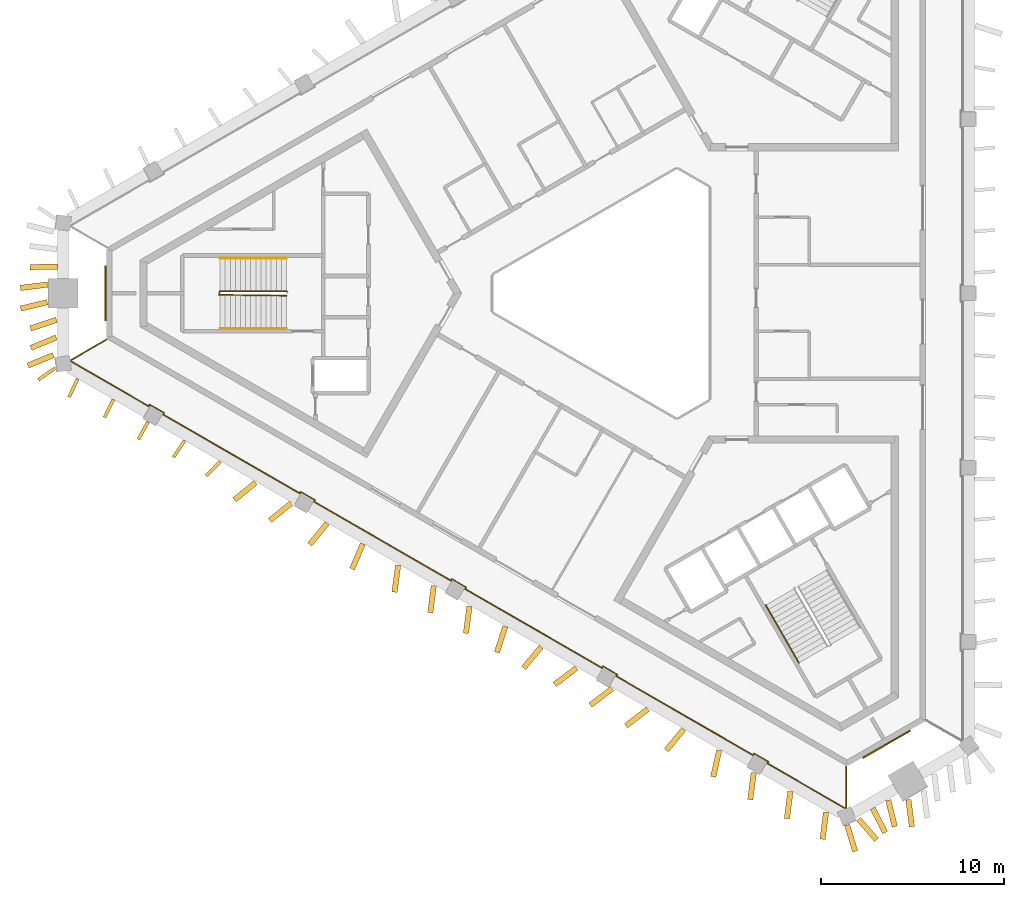
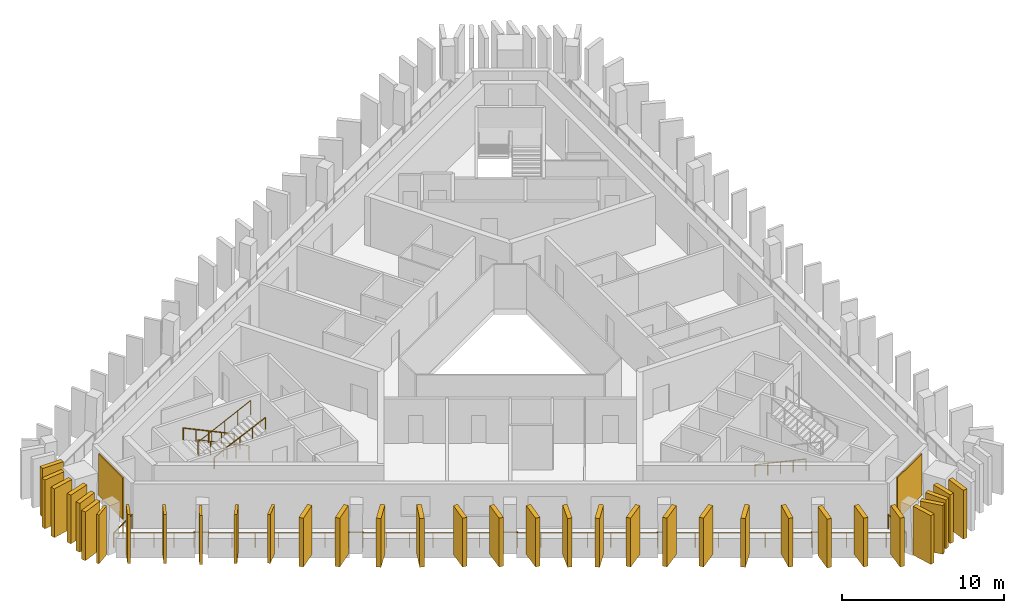
# One storey, part 6 of 8: 34 shading devices, 5 railings, 2 coverings.
"""IFC4 building model written with IfcOpenShell, lengths in metres."""

from ifc_helpers import new_model, si_unit, direction, frame, frame_2d, origin, origin_2d, place, context, subcontext, project, spatial, rectangle, circle, extrude, material, layer, layer_set, type_object, element, save


model = new_model("IFC4")

# Units and contexts
model_context = context("Model", 3, precision=1e-05, world=origin(), true_north=direction((0.0, 1.0)))
body_context = subcontext(model_context, "Body", "Model", "MODEL_VIEW")
ifc_project = project(units=[si_unit("LENGTHUNIT", "METRE"), si_unit("AREAUNIT", "SQUARE_METRE"), si_unit("VOLUMEUNIT", "CUBIC_METRE"), si_unit("PLANEANGLEUNIT", "RADIAN"), si_unit("MASSUNIT", "GRAM", prefix="KILO")], contexts=[model_context])

# Site, building, storey
site_placement = place(None, origin())
site = spatial("IfcSite", under=ifc_project, at=site_placement, CompositionType="ELEMENT")
building_placement = place(site_placement, origin())
building = spatial("IfcBuilding", under=site, at=building_placement, Name="Jabali Bay Hotel Tower and Convention Centre", CompositionType="ELEMENT")
storey_placement = place(building_placement, frame((0.0, 0.0, 292.300048828125)))
storey = spatial("IfcBuildingStorey", under=building, at=storey_placement, Name="L72", CompositionType="ELEMENT", Elevation=292.300048828125)

# Railing
ifc_material_1 = material(Name="Glass", Category="glass")
railing_type_1 = type_object("IfcRailingType", Name="Loggia glass guard 1100", PredefinedType="BALUSTRADE", material=ifc_material_1)
railing_1_placement = place(storey_placement, frame((87.0263671875, 54.1142578125, 0.0)))
element("IfcRailing", 1, at=railing_1_placement, inside=storey, type_object=railing_type_1, Name="Loggia glass guard L72", PredefinedType="BALUSTRADE", context=body_context, shape_type="SweptSolid", body=[
    extrude(circle(Radius=0.02490234375, at=origin_2d()), frame((0.0, 0.0, 1.0751953125), z_axis=(0.0, -1.0, 0.0), x_axis=(0.991444861374, 0.0, 0.13052619222)), (0.0, 0.0, 1.0), 2.275146484375),
    extrude(circle(Radius=0.02490234375, at=origin_2d()), frame((0.0, -2.275146484375, 1.0751953125), z_axis=(-0.921511427465, -0.388351244432, 0.0), x_axis=(0.3850288457, -0.913627769457, 0.13052619222)), (0.0, 0.0, 1.0), 0.037109375),
    extrude(circle(Radius=0.02490234375, at=origin_2d()), frame((-0.0341796875, -2.28955078125, 1.0751953125), z_axis=(-0.86602256313, 0.500004920126, 0.0), x_axis=(-0.495727308721, -0.858613620049, 0.13052619222)), (0.0, 0.0, 1.0), 4.93798828125),
    extrude(circle(Radius=0.02490234375, at=origin_2d()), frame((-4.310546875, 0.179443359375, 1.0751953125), z_axis=(0.501132629342, 0.865370491644, 0.0), x_axis=(-0.857967127125, 0.496845370228, 0.13052619222)), (0.0, 0.0, 1.0), 0.099853515625),
    extrude(circle(Radius=0.02490234375, at=origin_2d()), frame((-4.260498046875, 0.265869140625, 1.0751953125), z_axis=(-0.866013897511, 0.50001992892, 0.0), x_axis=(-0.495742189112, -0.858605028566, 0.13052619222)), (0.0, 0.0, 1.0), 0.89990234375),
    extrude(circle(Radius=0.02490234375, at=origin_2d()), frame((-5.039794921875, 0.7158203125, 1.0751953125), z_axis=(-0.501132629342, -0.865370491644, 0.0), x_axis=(0.857967127125, -0.496845370228, 0.13052619222)), (0.0, 0.0, 1.0), 0.099853515625),
    extrude(circle(Radius=0.02490234375, at=origin_2d()), frame((-5.08984375, 0.62939453125, 1.0751953125), z_axis=(-0.866030352146, 0.499991429088, 0.0), x_axis=(-0.4957139331, -0.858621342429, 0.13052619222)), (0.0, 0.0, 1.0), 8.642822265625),
    extrude(circle(Radius=0.02490234375, at=origin_2d()), frame((-12.57470703125, 4.95068359375, 1.0751953125), z_axis=(0.500074377092, 0.865982457891, 0.0), x_axis=(-0.858573857916, 0.495796171473, 0.13052619222)), (0.0, 0.0, 1.0), 0.10009765625),
    extrude(circle(Radius=0.02490234375, at=origin_2d()), frame((-12.524658203125, 5.037353515625, 1.0751953125), z_axis=(-0.866013897511, 0.50001992892, 0.0), x_axis=(-0.495742189112, -0.858605028566, 0.13052619222)), (0.0, 0.0, 1.0), 0.89990234375),
    extrude(circle(Radius=0.02490234375, at=origin_2d()), frame((-13.303955078125, 5.4873046875, 1.0751953125), z_axis=(-0.500074377092, -0.865982457891, 0.0), x_axis=(0.858573857916, -0.495796171473, 0.13052619222)), (0.0, 0.0, 1.0), 0.10009765625),
    extrude(circle(Radius=0.02490234375, at=origin_2d()), frame((-13.35400390625, 5.400634765625, 1.0751953125), z_axis=(-0.866030352146, 0.499991429088, 0.0), x_axis=(-0.4957139331, -0.858621342429, 0.13052619222)), (0.0, 0.0, 1.0), 8.642822265625),
    extrude(circle(Radius=0.02490234375, at=origin_2d()), frame((-20.8388671875, 9.721923828125, 1.0751953125), z_axis=(0.500074377092, 0.865982457891, 0.0), x_axis=(-0.858573857916, 0.495796171473, 0.13052619222)), (0.0, 0.0, 1.0), 0.10009765625),
    extrude(circle(Radius=0.02490234375, at=origin_2d()), frame((-20.788818359375, 9.80859375, 1.0751953125), z_axis=(-0.866081705922, 0.499902469156, 0.0), x_axis=(-0.495625734232, -0.858672256866, 0.13052619222)), (0.0, 0.0, 1.0), 0.900146484375),
    extrude(circle(Radius=0.02490234375, at=origin_2d()), frame((-21.568359375, 10.258544921875, 1.0751953125), z_axis=(-0.501132629342, -0.865370491644, 0.0), x_axis=(0.857967127125, -0.496845370228, 0.13052619222)), (0.0, 0.0, 1.0), 0.099853515625),
    extrude(circle(Radius=0.02490234375, at=origin_2d()), frame((-21.618408203125, 10.172119140625, 1.0751953125), z_axis=(-0.866023290103, 0.500003660985, 0.0), x_axis=(-0.495726060352, -0.858614340803, 0.13052619222)), (0.0, 0.0, 1.0), 8.642578125),
    extrude(circle(Radius=0.02490234375, at=origin_2d()), frame((-29.10302734375, 14.493408203125, 1.0751953125), z_axis=(0.500074377092, 0.865982457891, 0.0), x_axis=(-0.858573857916, 0.495796171473, 0.13052619222)), (0.0, 0.0, 1.0), 0.10009765625),
    extrude(circle(Radius=0.02490234375, at=origin_2d()), frame((-29.052978515625, 14.580078125, 1.0751953125), z_axis=(-0.866081705922, 0.499902469156, 0.0), x_axis=(-0.495625734232, -0.858672256866, 0.13052619222)), (0.0, 0.0, 1.0), 0.900146484375),
    extrude(circle(Radius=0.02490234375, at=origin_2d()), frame((-29.83251953125, 15.030029296875, 1.0751953125), z_axis=(-0.500074377092, -0.865982457891, 0.0), x_axis=(0.858573857916, -0.495796171473, 0.13052619222)), (0.0, 0.0, 1.0), 0.10009765625),
    extrude(circle(Radius=0.02490234375, at=origin_2d()), frame((-29.882568359375, 14.943359375, 1.0751953125), z_axis=(-0.866030352146, 0.499991429088, 0.0), x_axis=(-0.4957139331, -0.858621342429, 0.13052619222)), (0.0, 0.0, 1.0), 8.642822265625),
    extrude(circle(Radius=0.02490234375, at=origin_2d()), frame((-37.367431640625, 19.2646484375, 1.0751953125), z_axis=(0.500074377092, 0.865982457891, 0.0), x_axis=(-0.858573857916, 0.495796171473, 0.13052619222)), (0.0, 0.0, 1.0), 0.10009765625),
    extrude(circle(Radius=0.02490234375, at=origin_2d()), frame((-37.3173828125, 19.351318359375, 1.0751953125), z_axis=(-0.866013897511, 0.50001992892, 0.0), x_axis=(-0.495742189112, -0.858605028566, 0.13052619222)), (0.0, 0.0, 1.0), 0.89990234375),
    extrude(circle(Radius=0.02490234375, at=origin_2d()), frame((-38.0966796875, 19.80126953125, 1.0751953125), z_axis=(-0.501132629342, -0.865370491644, 0.0), x_axis=(0.857967127125, -0.496845370228, 0.13052619222)), (0.0, 0.0, 1.0), 0.099853515625),
    extrude(circle(Radius=0.02490234375, at=origin_2d()), frame((-38.146728515625, 19.71484375, 1.0751953125), z_axis=(-0.866031611973, 0.499989246947, 0.0), x_axis=(-0.495711769628, -0.858622591478, 0.13052619222)), (0.0, 0.0, 1.0), 4.9375),
    extrude(circle(Radius=0.02490234375, at=origin_2d()), frame((-42.4228515625, 22.18359375, 1.0751953125), z_axis=(-0.124843395554, 0.9921764594, 0.0), x_axis=(-0.983688252248, -0.123775342998, 0.13052619222)), (0.0, 0.0, 1.0), 0.037109375),
    extrude(circle(Radius=0.02490234375, at=origin_2d()), frame((-42.427490234375, 22.220458984375, 1.0751953125), z_axis=(0.865989003036, 0.500063042646, 0.0), x_axis=(-0.495784933994, 0.858580347067, 0.13052619222)), (0.0, 0.0, 1.0), 2.275146484375),
    extrude(circle(Radius=0.02001953125, at=origin_2d()), origin(), (0.0, 0.0, 1.0), 1.050048828125),
    extrude(circle(Radius=0.02001953125, at=origin_2d()), frame((0.0, -1.1376953125, 0.0)), (0.0, 0.0, 1.0), 1.050048828125),
    extrude(circle(Radius=0.02001953125, at=origin_2d()), frame((0.0, -2.275146484375, 0.0)), (0.0, 0.0, 1.0), 1.050048828125),
    extrude(circle(Radius=0.02001953125, at=origin_2d()), frame((-0.0341796875, -2.28955078125, 0.0)), (0.0, 0.0, 1.0), 1.050048828125),
    extrude(circle(Radius=0.02001953125, at=origin_2d()), frame((-1.103271484375, -1.67236328125, 0.0)), (0.0, 0.0, 1.0), 1.050048828125),
    extrude(circle(Radius=0.02001953125, at=origin_2d()), frame((-2.17236328125, -1.05517578125, 0.0)), (0.0, 0.0, 1.0), 1.050048828125),
    extrude(circle(Radius=0.02001953125, at=origin_2d()), frame((-3.241455078125, -0.437744140625, 0.0)), (0.0, 0.0, 1.0), 1.050048828125),
    extrude(circle(Radius=0.02001953125, at=origin_2d()), frame((-4.310546875, 0.179443359375, 0.0)), (0.0, 0.0, 1.0), 1.050048828125),
    extrude(circle(Radius=0.02001953125, at=origin_2d()), frame((-4.260498046875, 0.265869140625, 0.0)), (0.0, 0.0, 1.0), 1.050048828125),
    extrude(circle(Radius=0.02001953125, at=origin_2d()), frame((-5.039794921875, 0.7158203125, 0.0)), (0.0, 0.0, 1.0), 1.050048828125),
    extrude(circle(Radius=0.02001953125, at=origin_2d()), frame((-5.08984375, 0.62939453125, 0.0)), (0.0, 0.0, 1.0), 1.050048828125),
    extrude(circle(Radius=0.02001953125, at=origin_2d()), frame((-6.33740234375, 1.349609375, 0.0)), (0.0, 0.0, 1.0), 1.050048828125),
    extrude(circle(Radius=0.02001953125, at=origin_2d()), frame((-7.584716796875, 2.06982421875, 0.0)), (0.0, 0.0, 1.0), 1.050048828125),
    extrude(circle(Radius=0.02001953125, at=origin_2d()), frame((-8.832275390625, 2.7900390625, 0.0)), (0.0, 0.0, 1.0), 1.050048828125),
    extrude(circle(Radius=0.02001953125, at=origin_2d()), frame((-10.079833984375, 3.51025390625, 0.0)), (0.0, 0.0, 1.0), 1.050048828125),
    extrude(circle(Radius=0.02001953125, at=origin_2d()), frame((-11.3271484375, 4.23046875, 0.0)), (0.0, 0.0, 1.0), 1.050048828125),
    extrude(circle(Radius=0.02001953125, at=origin_2d()), frame((-12.57470703125, 4.95068359375, 0.0)), (0.0, 0.0, 1.0), 1.050048828125),
    extrude(circle(Radius=0.02001953125, at=origin_2d()), frame((-12.524658203125, 5.037353515625, 0.0)), (0.0, 0.0, 1.0), 1.050048828125),
    extrude(circle(Radius=0.02001953125, at=origin_2d()), frame((-13.303955078125, 5.4873046875, 0.0)), (0.0, 0.0, 1.0), 1.050048828125),
    extrude(circle(Radius=0.02001953125, at=origin_2d()), frame((-13.35400390625, 5.400634765625, 0.0)), (0.0, 0.0, 1.0), 1.050048828125),
    extrude(circle(Radius=0.02001953125, at=origin_2d()), frame((-14.6015625, 6.120849609375, 0.0)), (0.0, 0.0, 1.0), 1.050048828125),
    extrude(circle(Radius=0.02001953125, at=origin_2d()), frame((-15.848876953125, 6.841064453125, 0.0)), (0.0, 0.0, 1.0), 1.050048828125),
    extrude(circle(Radius=0.02001953125, at=origin_2d()), frame((-17.096435546875, 7.561279296875, 0.0)), (0.0, 0.0, 1.0), 1.050048828125),
    extrude(circle(Radius=0.02001953125, at=origin_2d()), frame((-18.343994140625, 8.281494140625, 0.0)), (0.0, 0.0, 1.0), 1.050048828125),
    extrude(circle(Radius=0.02001953125, at=origin_2d()), frame((-19.59130859375, 9.001708984375, 0.0)), (0.0, 0.0, 1.0), 1.050048828125),
    extrude(circle(Radius=0.02001953125, at=origin_2d()), frame((-20.8388671875, 9.721923828125, 0.0)), (0.0, 0.0, 1.0), 1.050048828125),
    extrude(circle(Radius=0.02001953125, at=origin_2d()), frame((-20.788818359375, 9.80859375, 0.0)), (0.0, 0.0, 1.0), 1.050048828125),
    extrude(circle(Radius=0.02001953125, at=origin_2d()), frame((-21.568359375, 10.258544921875, 0.0)), (0.0, 0.0, 1.0), 1.050048828125),
    extrude(circle(Radius=0.02001953125, at=origin_2d()), frame((-21.618408203125, 10.172119140625, 0.0)), (0.0, 0.0, 1.0), 1.050048828125),
    extrude(circle(Radius=0.02001953125, at=origin_2d()), frame((-22.86572265625, 10.892333984375, 0.0)), (0.0, 0.0, 1.0), 1.050048828125),
    extrude(circle(Radius=0.02001953125, at=origin_2d()), frame((-24.11328125, 11.612548828125, 0.0)), (0.0, 0.0, 1.0), 1.050048828125),
    extrude(circle(Radius=0.02001953125, at=origin_2d()), frame((-25.36083984375, 12.332763671875, 0.0)), (0.0, 0.0, 1.0), 1.050048828125),
    extrude(circle(Radius=0.02001953125, at=origin_2d()), frame((-26.608154296875, 13.052978515625, 0.0)), (0.0, 0.0, 1.0), 1.050048828125),
    extrude(circle(Radius=0.02001953125, at=origin_2d()), frame((-27.85546875, 13.773193359375, 0.0)), (0.0, 0.0, 1.0), 1.050048828125),
    extrude(circle(Radius=0.02001953125, at=origin_2d()), frame((-29.10302734375, 14.493408203125, 0.0)), (0.0, 0.0, 1.0), 1.050048828125),
    extrude(circle(Radius=0.02001953125, at=origin_2d()), frame((-29.052978515625, 14.580078125, 0.0)), (0.0, 0.0, 1.0), 1.050048828125),
    extrude(circle(Radius=0.02001953125, at=origin_2d()), frame((-29.83251953125, 15.030029296875, 0.0)), (0.0, 0.0, 1.0), 1.050048828125),
    extrude(circle(Radius=0.02001953125, at=origin_2d()), frame((-29.882568359375, 14.943359375, 0.0)), (0.0, 0.0, 1.0), 1.050048828125),
    extrude(circle(Radius=0.02001953125, at=origin_2d()), frame((-31.130126953125, 15.66357421875, 0.0)), (0.0, 0.0, 1.0), 1.050048828125),
    extrude(circle(Radius=0.02001953125, at=origin_2d()), frame((-32.37744140625, 16.3837890625, 0.0)), (0.0, 0.0, 1.0), 1.050048828125),
    extrude(circle(Radius=0.02001953125, at=origin_2d()), frame((-33.625, 17.10400390625, 0.0)), (0.0, 0.0, 1.0), 1.050048828125),
    extrude(circle(Radius=0.02001953125, at=origin_2d()), frame((-34.87255859375, 17.82421875, 0.0)), (0.0, 0.0, 1.0), 1.050048828125),
    extrude(circle(Radius=0.02001953125, at=origin_2d()), frame((-36.119873046875, 18.54443359375, 0.0)), (0.0, 0.0, 1.0), 1.050048828125),
    extrude(circle(Radius=0.02001953125, at=origin_2d()), frame((-37.367431640625, 19.2646484375, 0.0)), (0.0, 0.0, 1.0), 1.050048828125),
    extrude(circle(Radius=0.02001953125, at=origin_2d()), frame((-37.3173828125, 19.351318359375, 0.0)), (0.0, 0.0, 1.0), 1.050048828125),
    extrude(circle(Radius=0.02001953125, at=origin_2d()), frame((-38.0966796875, 19.80126953125, 0.0)), (0.0, 0.0, 1.0), 1.050048828125),
    extrude(circle(Radius=0.02001953125, at=origin_2d()), frame((-38.146728515625, 19.71484375, 0.0)), (0.0, 0.0, 1.0), 1.050048828125),
    extrude(circle(Radius=0.02001953125, at=origin_2d()), frame((-39.2158203125, 20.33203125, 0.0)), (0.0, 0.0, 1.0), 1.050048828125),
    extrude(circle(Radius=0.02001953125, at=origin_2d()), frame((-40.28466796875, 20.94921875, 0.0)), (0.0, 0.0, 1.0), 1.050048828125),
    extrude(circle(Radius=0.02001953125, at=origin_2d()), frame((-41.353759765625, 21.56640625, 0.0)), (0.0, 0.0, 1.0), 1.050048828125),
    extrude(circle(Radius=0.02001953125, at=origin_2d()), frame((-42.4228515625, 22.18359375, 0.0)), (0.0, 0.0, 1.0), 1.050048828125),
    extrude(circle(Radius=0.02001953125, at=origin_2d()), frame((-42.427490234375, 22.220458984375, 0.0)), (0.0, 0.0, 1.0), 1.050048828125),
    extrude(circle(Radius=0.02001953125, at=origin_2d()), frame((-41.4423828125, 22.789306640625, 0.0)), (0.0, 0.0, 1.0), 1.050048828125),
    extrude(circle(Radius=0.02001953125, at=origin_2d()), frame((-40.457275390625, 23.358154296875, 0.0)), (0.0, 0.0, 1.0), 1.050048828125),
])

# Shading devices
ifc_material_2 = material(Name="Precast concrete C60", Category="concrete")
ifc_layer_1 = layer(ifc_material_2, 0.179931640625)
ifc_layer_set_1 = layer_set([ifc_layer_1], Name="Precast concrete C60")
shading_device_type_1 = type_object("IfcShadingDeviceType", Name="Precast fin 3680 x 1100", PredefinedType="USERDEFINED", material=ifc_layer_set_1)
shading_device_1_placement = place(storey_placement, frame((44.994384765625, 75.32177734375, 0.010009765625), z_axis=(0.0, 0.0, 1.0), x_axis=(-0.427666532272, -0.903936578071, 0.0)))
element("IfcShadingDevice", 2, at=shading_device_1_placement, inside=storey, type_object=shading_device_type_1, Name="Fin L72 060", ObjectType="FIN", PredefinedType="USERDEFINED", context=body_context, shape_type="SweptSolid", body=[
    extrude(rectangle(XDim=1.10009765625, YDim=0.179931640625, at=frame_2d((0.550048828125, 0.0))), origin(), (0.0, 0.0, 1.0), 3.679931640625),
])
shading_device_2_placement = place(storey_placement, frame((46.9453125, 74.19677734375, 0.010009765625), z_axis=(0.0, 0.0, 1.0), x_axis=(-0.439739566197, -0.898125333081, 0.0)))
element("IfcShadingDevice", 3, at=shading_device_2_placement, inside=storey, type_object=shading_device_type_1, Name="Fin L72 061", ObjectType="FIN", PredefinedType="USERDEFINED", context=body_context, shape_type="SweptSolid", body=[
    extrude(rectangle(XDim=1.099853515625, YDim=0.179931640625, at=frame_2d((0.5498046875, 0.0))), origin(), (0.0, 0.0, 1.0), 3.679931640625),
])
shading_device_3_placement = place(storey_placement, frame((48.843994140625, 72.981201171875, 0.010009765625), z_axis=(0.0, 0.0, 1.0), x_axis=(-0.479147539456, -0.877734376354, 0.0)))
element("IfcShadingDevice", 4, at=shading_device_3_placement, inside=storey, type_object=shading_device_type_1, Name="Fin L72 062", ObjectType="FIN", PredefinedType="USERDEFINED", context=body_context, shape_type="SweptSolid", body=[
    extrude(rectangle(XDim=1.10009765625, YDim=0.179931640625, at=frame_2d((0.550048828125, 0.0))), origin(), (0.0, 0.0, 1.0), 3.679931640625),
])
for number, where, z_axis, x_axis, name in (
    (5, (50.84619140625, 71.945068359375, 0.010009765625), (0.0, 0.0, 1.0), (-0.554905067433, -0.831913677095, 0.0), "Fin L72 063"),
    (6, (52.788330078125, 70.804931640625, 0.010009765625), (0.0, 0.0, 1.0), (-0.697385774815, -0.716695947446, 0.0), "Fin L72 064"),
):
    element("IfcShadingDevice", number, at=place(storey_placement, frame(where, z_axis=z_axis, x_axis=x_axis)), inside=storey, type_object=shading_device_type_1, Name=name, ObjectType="FIN", PredefinedType="USERDEFINED", context=body_context, shape_type="SweptSolid", body=[
        extrude(rectangle(XDim=1.099853515625, YDim=0.179931640625, at=frame_2d((0.5498046875, 0.0))), origin(), (0.0, 0.0, 1.0), 3.679931640625),
    ])
shading_device_4_placement = place(storey_placement, frame((43.75439453125, 75.905029296875, 0.010009765625), z_axis=(0.0, 0.0, 1.0), x_axis=(-0.822926547309, -0.568147778077, 0.0)))
element("IfcShadingDevice", 7, at=shading_device_4_placement, inside=storey, type_object=shading_device_type_1, Name="Fin L72 094", ObjectType="FIN", PredefinedType="USERDEFINED", context=body_context, shape_type="SweptSolid", body=[
    extrude(rectangle(XDim=1.10009765625, YDim=0.179931640625, at=frame_2d((0.550048828125, 0.0))), origin(), (0.0, 0.0, 1.0), 3.679931640625),
])
ifc_layer_2 = layer(ifc_material_2, 0.300048828125)
ifc_layer_set_2 = layer_set([ifc_layer_2], Name="Precast concrete C60")
shading_device_type_2 = type_object("IfcShadingDeviceType", Name="Precast fin 3680 x 1500", PredefinedType="USERDEFINED", material=ifc_layer_set_2)
for number, where, z_axis, x_axis, name in (
    (8, (43.8818359375, 81.44580078125, 0.010009765625), (0.0, 0.0, 1.0), (-0.999995218417, -0.00309243313, 0.0), "Fin L72 054"),
    (9, (43.350830078125, 80.48193359375, 0.010009765625), (0.0, 0.0, 1.0), (-0.992177393959, -0.124835968039, 0.0), "Fin L72 055"),
    (10, (43.334716796875, 79.51806640625, 0.010009765625), (0.0, 0.0, 1.0), (-0.972617293255, -0.232412566059, 0.0), "Fin L72 056"),
    (11, (43.83447265625, 78.55419921875, 0.010009765625), (0.0, 0.0, 1.0), (-0.947702265569, -0.319155786155, 0.0), "Fin L72 057"),
    (12, (43.8251953125, 77.59033203125, 0.010009765625), (0.0, 0.0, 1.0), (-0.924495967494, -0.381191823217, 0.0), "Fin L72 058"),
):
    element("IfcShadingDevice", number, at=place(storey_placement, frame(where, z_axis=z_axis, x_axis=x_axis)), inside=storey, type_object=shading_device_type_2, Name=name, ObjectType="FIN", PredefinedType="USERDEFINED", context=body_context, shape_type="SweptSolid", body=[
        extrude(rectangle(XDim=1.5, YDim=0.300048828125, at=frame_2d((0.75, 0.0))), origin(), (0.0, 0.0, 1.0), 3.679931640625),
    ])
shading_device_5_placement = place(storey_placement, frame((43.66552734375, 76.62646484375, 0.010009765625), z_axis=(0.0, 0.0, 1.0), x_axis=(-0.923129890319, -0.384488238571, 0.0)))
element("IfcShadingDevice", 13, at=shading_device_5_placement, inside=storey, type_object=shading_device_type_2, Name="Fin L72 059", ObjectType="FIN", PredefinedType="USERDEFINED", context=body_context, shape_type="SweptSolid", body=[
    extrude(rectangle(XDim=1.499755859375, YDim=0.300048828125, at=frame_2d((0.75, 0.0))), origin(), (0.0, 0.0, 1.0), 3.679931640625),
])
shading_device_6_placement = place(storey_placement, frame((54.723388671875, 69.65234375, 0.010009765625), z_axis=(0.0, 0.0, 1.0), x_axis=(-0.773028350485, -0.63437147583, 0.0)))
element("IfcShadingDevice", 14, at=shading_device_6_placement, inside=storey, type_object=shading_device_type_2, Name="Fin L72 065", ObjectType="FIN", PredefinedType="USERDEFINED", context=body_context, shape_type="SweptSolid", body=[
    extrude(rectangle(XDim=1.500244140625, YDim=0.300048828125, at=frame_2d((0.75, 0.0))), origin(), (0.0, 0.0, 1.0), 3.679931640625),
])
for number, where, z_axis, x_axis, name in (
    (15, (56.673095703125, 68.525634765625, 0.010009765625), (0.0, 0.0, 1.0), (-0.776979493063, -0.629525906822, 0.0), "Fin L72 066"),
    (16, (58.63818359375, 67.424560546875, 0.010009765625), (0.0, 0.0, 1.0), (-0.635610258066, -0.772010103458, 0.0), "Fin L72 067"),
    (17, (60.591552734375, 66.30419921875, 0.010009765625), (0.0, 0.0, 1.0), (-0.39128539148, -0.920269385786, 0.0), "Fin L72 068"),
    (18, (62.522705078125, 65.144775390625, 0.010009765625), (0.0, 0.0, 1.0), (-0.134444940872, -0.99092106541, 0.0), "Fin L72 069"),
    (19, (64.47265625, 64.01806640625, 0.010009765625), (0.0, 0.0, 1.0), (-0.128740771471, -0.99167828138, 0.0), "Fin L72 070"),
    (20, (66.4228515625, 62.89208984375, 0.010009765625), (0.0, 0.0, 1.0), (-0.128580707026, -0.991699047988, 0.0), "Fin L72 071"),
):
    element("IfcShadingDevice", number, at=place(storey_placement, frame(where, z_axis=z_axis, x_axis=x_axis)), inside=storey, type_object=shading_device_type_2, Name=name, ObjectType="FIN", PredefinedType="USERDEFINED", context=body_context, shape_type="SweptSolid", body=[
        extrude(rectangle(XDim=1.5, YDim=0.300048828125, at=frame_2d((0.75, 0.0))), origin(), (0.0, 0.0, 1.0), 3.679931640625),
    ])
shading_device_7_placement = place(storey_placement, frame((68.38671875, 61.789306640625, 0.010009765625), z_axis=(0.0, 0.0, 1.0), x_axis=(-0.311488035958, -0.950250074167, 0.0)))
element("IfcShadingDevice", 21, at=shading_device_7_placement, inside=storey, type_object=shading_device_type_2, Name="Fin L72 072", ObjectType="FIN", PredefinedType="USERDEFINED", context=body_context, shape_type="SweptSolid", body=[
    extrude(rectangle(XDim=1.500244140625, YDim=0.300048828125, at=frame_2d((0.75, 0.0))), origin(), (0.0, 0.0, 1.0), 3.679931640625),
])
shading_device_8_placement = place(storey_placement, frame((70.33984375, 60.668212890625, 0.010009765625), z_axis=(0.0, 0.0, 1.0), x_axis=(-0.636944543629, -0.770909623978, 0.0)))
element("IfcShadingDevice", 22, at=shading_device_8_placement, inside=storey, type_object=shading_device_type_2, Name="Fin L72 073", ObjectType="FIN", PredefinedType="USERDEFINED", context=body_context, shape_type="SweptSolid", body=[
    extrude(rectangle(XDim=1.499755859375, YDim=0.300048828125, at=frame_2d((0.75, 0.0))), origin(), (0.0, 0.0, 1.0), 3.679931640625),
])
for number, where, z_axis, x_axis, name in (
    (23, (72.27392578125, 59.513916015625, 0.010009765625), (0.0, 0.0, 1.0), (-0.794537958448, -0.607214486475, 0.0), "Fin L72 074"),
    (24, (74.224365234375, 58.387939453125, 0.010009765625), (0.0, 0.0, 1.0), (-0.794537958448, -0.607214486475, 0.0), "Fin L72 075"),
    (25, (76.174560546875, 57.261962890625, 0.010009765625), (0.0, 0.0, 1.0), (-0.794537958448, -0.607214486475, 0.0), "Fin L72 076"),
):
    element("IfcShadingDevice", number, at=place(storey_placement, frame(where, z_axis=z_axis, x_axis=x_axis)), inside=storey, type_object=shading_device_type_2, Name=name, ObjectType="FIN", PredefinedType="USERDEFINED", context=body_context, shape_type="SweptSolid", body=[
        extrude(rectangle(XDim=1.5, YDim=0.300048828125, at=frame_2d((0.75, 0.0))), origin(), (0.0, 0.0, 1.0), 3.679931640625),
    ])
shading_device_9_placement = place(storey_placement, frame((78.14111328125, 56.1640625, 0.010009765625), z_axis=(0.0, 0.0, 1.0), x_axis=(-0.637747586354, -0.770245425887, 0.0)))
element("IfcShadingDevice", 26, at=shading_device_9_placement, inside=storey, type_object=shading_device_type_2, Name="Fin L72 077", ObjectType="FIN", PredefinedType="USERDEFINED", context=body_context, shape_type="SweptSolid", body=[
    extrude(rectangle(XDim=1.499755859375, YDim=0.300048828125, at=frame_2d((0.75, 0.0))), origin(), (0.0, 0.0, 1.0), 3.679931640625),
])
for number, where, z_axis, x_axis, name in (
    (27, (80.08154296875, 55.02099609375, 0.010009765625), (0.0, 0.0, 1.0), (-0.218102193889, -0.975925936237, 0.0), "Fin L72 078"),
    (28, (81.971923828125, 53.790771484375, 0.010009765625), (0.0, 0.0, 1.0), (-0.128580707026, -0.991699047988, 0.0), "Fin L72 079"),
    (29, (83.975830078125, 52.7578125, 0.010009765625), (0.0, 0.0, 1.0), (-0.128580707026, -0.991699047988, 0.0), "Fin L72 080"),
    (30, (85.92626953125, 51.6318359375, 0.010009765625), (0.0, 0.0, 1.0), (-0.128580707026, -0.991699047988, 0.0), "Fin L72 081"),
    (31, (87.7041015625, 51.24853515625, 0.010009765625), (0.0, 0.0, 1.0), (0.653535108512, -0.756896202885, 0.0), "Fin L72 082"),
    (32, (88.4755859375, 51.840087890625, 0.010009765625), (0.0, 0.0, 1.0), (0.457859140279, -0.889024750872, 0.0), "Fin L72 083"),
    (33, (89.327880859375, 52.291748046875, 0.010009765625), (0.0, 0.0, 1.0), (0.23517611495, -0.971952774036, 0.0), "Fin L72 084"),
    (34, (90.4267578125, 52.31640625, 0.010009765625), (0.0, 0.0, 1.0), (0.128580707026, -0.991699047988, 0.0), "Fin L72 085"),
    (35, (87.076416015625, 50.921875, 0.010009765625), (0.0, 0.0, 1.0), (0.295743848618, -0.955267279878, 0.0), "Fin L72 095"),
):
    element("IfcShadingDevice", number, at=place(storey_placement, frame(where, z_axis=z_axis, x_axis=x_axis)), inside=storey, type_object=shading_device_type_2, Name=name, ObjectType="FIN", PredefinedType="USERDEFINED", context=body_context, shape_type="SweptSolid", body=[
        extrude(rectangle(XDim=1.5, YDim=0.300048828125, at=frame_2d((0.75, 0.0))), origin(), (0.0, 0.0, 1.0), 3.679931640625),
    ])

# Coverings
ifc_material_3 = material(Name="Precast concrete C40/50", Category="concrete")
ifc_layer_3 = layer(ifc_material_3, 0.080078125)
ifc_layer_set_3 = layer_set([ifc_layer_3], Name="Precast concrete C40/50")
covering_type = type_object("IfcCoveringType", Name="Relief panel 3000 x 3150", PredefinedType="CLADDING", material=ifc_layer_set_3)
for number, where, z_axis, x_axis, name in (
    (36, (46.529052734375, 80.0, 0.10009765625), (0.0, 0.0, 1.0), (0.0, 1.0, 0.0), "Relief panel L72"),
    (37, (89.2353515625, 55.343505859375, 0.10009765625), (0.0, 0.0, 1.0), (-0.866025331249, -0.500000125636, 0.0), "Relief panel L72"),
):
    element("IfcCovering", number, at=place(storey_placement, frame(where, z_axis=z_axis, x_axis=x_axis)), inside=storey, type_object=covering_type, Name=name, PredefinedType="CLADDING", context=body_context, shape_type="SweptSolid", body=[
        extrude(rectangle(XDim=3.0, YDim=0.080078125, at=origin_2d()), origin(), (0.0, 0.0, 1.0), 3.14990234375),
    ])

# Railings
ifc_material_4 = material(Name="Steel Q355B", Category="steel")
railing_type_2 = type_object("IfcRailingType", Name="Stair guard 1100", PredefinedType="GUARDRAIL", material=ifc_material_4)
railing_2_placement = place(storey_placement, frame((56.469970703125, 80.074951171875, 0.0)))
element("IfcRailing", 38, at=railing_2_placement, inside=storey, type_object=railing_type_2, Name="L72 ST1 stair guard 1", PredefinedType="GUARDRAIL", context=body_context, shape_type="SweptSolid", body=[
    extrude(circle(Radius=0.02392578125, at=origin_2d()), frame((0.0, 0.0, 1.076171875), z_axis=(-0.333993628408, 0.333993628408, 0.881417331555), x_axis=(-0.707106781187, -0.707106781187, 0.0)), (0.0, 0.0, 1.0), 0.14990234375),
    extrude(circle(Radius=0.02392578125, at=origin_2d()), frame((-0.050048828125, 0.050048828125, 1.2080078125), z_axis=(-0.904350763662, 0.0, 0.426789990819), x_axis=(0.0, -1.0, 0.0)), (0.0, 0.0, 1.0), 4.02490234375),
    extrude(circle(Radius=0.02392578125, at=origin_2d()), frame((-3.68994140625, 0.050048828125, 2.92578125), z_axis=(-0.242814311512, -0.970072785993, 0.0), x_axis=(0.970072785993, -0.242814311512, 0.0)), (0.0, 0.0, 1.0), 0.2060546875),
    extrude(circle(Radius=0.02392578125, at=origin_2d()), frame((-3.739990234375, -0.14990234375, 2.92578125), z_axis=(0.893864111827, -0.012124000458, 0.448174026692), x_axis=(0.013562335953, 0.999908027292, 0.0)), (0.0, 0.0, 1.0), 4.128173828125),
    extrude(circle(Radius=0.02099609375, at=origin_2d()), origin(), (0.0, 0.0, 1.0), 1.052001953125),
    extrude(circle(Radius=0.02099609375, at=origin_2d()), frame((-0.050048828125, 0.050048828125, 0.132080078125)), (0.0, 0.0, 1.0), 1.052001953125),
    extrude(circle(Radius=0.02099609375, at=origin_2d()), frame((-0.9599609375, 0.050048828125, 0.5615234375)), (0.0, 0.0, 1.0), 1.052001953125),
    extrude(circle(Radius=0.02099609375, at=origin_2d()), frame((-1.8701171875, 0.050048828125, 0.990966796875)), (0.0, 0.0, 1.0), 1.052001953125),
    extrude(circle(Radius=0.02099609375, at=origin_2d()), frame((-2.780029296875, 0.050048828125, 1.42041015625)), (0.0, 0.0, 1.0), 1.052001953125),
    extrude(circle(Radius=0.02099609375, at=origin_2d()), frame((-3.68994140625, 0.050048828125, 1.849853515625)), (0.0, 0.0, 1.0), 1.052001953125),
    extrude(circle(Radius=0.02099609375, at=origin_2d()), frame((-3.739990234375, -0.14990234375, 1.849853515625)), (0.0, 0.0, 1.0), 1.052001953125),
    extrude(circle(Radius=0.02099609375, at=origin_2d()), frame((-2.8173828125, -0.162353515625, 2.3125)), (0.0, 0.0, 1.0), 1.052001953125),
    extrude(circle(Radius=0.02099609375, at=origin_2d()), frame((-1.89501953125, -0.1748046875, 2.77490234375)), (0.0, 0.0, 1.0), 1.052001953125),
    extrude(circle(Radius=0.02099609375, at=origin_2d()), frame((-0.97265625, -0.1875, 3.2373046875)), (0.0, 0.0, 1.0), 1.052001953125),
    extrude(circle(Radius=0.02099609375, at=origin_2d()), frame((-0.050048828125, -0.199951171875, 3.699951171875)), (0.0, 0.0, 1.0), 1.052001953125),
])
railing_type_3 = type_object("IfcRailingType", Name="Stair handrail 900", PredefinedType="HANDRAIL", material=ifc_material_4)
railing_3_placement = place(storey_placement, frame((56.419921875, 81.925048828125, 0.132080078125)))
element("IfcRailing", 39, at=railing_3_placement, inside=storey, type_object=railing_type_3, Name="L72 ST1 stair handrail 1", PredefinedType="HANDRAIL", context=body_context, shape_type="SweptSolid", body=[
    extrude(circle(Radius=0.02392578125, at=origin_2d()), frame((0.0, 0.0, 0.8759765625), z_axis=(-0.904350763662, 0.0, 0.426789990819), x_axis=(0.0, -1.0, 0.0)), (0.0, 0.0, 1.0), 4.02490234375),
    extrude(circle(Radius=0.02099609375, at=origin_2d()), origin(), (0.0, 0.0, 1.0), 0.851806640625),
    extrude(circle(Radius=0.02099609375, at=origin_2d()), frame((-0.909912109375, 0.0, 0.429443359375)), (0.0, 0.0, 1.0), 0.851806640625),
    extrude(circle(Radius=0.02099609375, at=origin_2d()), frame((-1.81982421875, 0.0, 0.85888671875)), (0.0, 0.0, 1.0), 0.851806640625),
    extrude(circle(Radius=0.02099609375, at=origin_2d()), frame((-2.72998046875, 0.0, 1.288330078125)), (0.0, 0.0, 1.0), 0.851806640625),
    extrude(circle(Radius=0.02099609375, at=origin_2d()), frame((-3.639892578125, 0.0, 1.7177734375)), (0.0, 0.0, 1.0), 0.851806640625),
])
railing_4_placement = place(storey_placement, frame((52.780029296875, 78.074951171875, 1.982177734375)))
element("IfcRailing", 40, at=railing_4_placement, inside=storey, type_object=railing_type_3, Name="L72 ST1 stair handrail 2", PredefinedType="HANDRAIL", context=body_context, shape_type="SweptSolid", body=[
    extrude(circle(Radius=0.02392578125, at=origin_2d()), frame((0.0, 0.0, 0.8759765625), z_axis=(0.904350763662, 0.0, 0.426789990819), x_axis=(0.0, 1.0, 0.0)), (0.0, 0.0, 1.0), 4.02490234375),
    extrude(circle(Radius=0.02099609375, at=origin_2d()), origin(), (0.0, 0.0, 1.0), 0.851806640625),
    extrude(circle(Radius=0.02099609375, at=origin_2d()), frame((0.909912109375, 0.0, 0.429443359375)), (0.0, 0.0, 1.0), 0.851806640625),
    extrude(circle(Radius=0.02099609375, at=origin_2d()), frame((1.81982421875, 0.0, 0.85888671875)), (0.0, 0.0, 1.0), 0.851806640625),
    extrude(circle(Radius=0.02099609375, at=origin_2d()), frame((2.72998046875, 0.0, 1.288330078125)), (0.0, 0.0, 1.0), 0.851806640625),
    extrude(circle(Radius=0.02099609375, at=origin_2d()), frame((3.639892578125, 0.0, 1.7177734375)), (0.0, 0.0, 1.0), 0.851806640625),
])
railing_5_placement = place(storey_placement, frame((82.622802734375, 62.94677734375, 0.132080078125)))
element("IfcRailing", 41, at=railing_5_placement, inside=storey, type_object=railing_type_3, Name="L72 ST3 stair handrail 1", PredefinedType="HANDRAIL", context=body_context, shape_type="SweptSolid", body=[
    extrude(circle(Radius=0.02392578125, at=origin_2d()), frame((0.0, 0.0, 0.8759765625), z_axis=(0.452190331055, -0.783190014029, 0.426775475427), x_axis=(0.866018046521, 0.500012742938, 0.0)), (0.0, 0.0, 1.0), 4.02490234375),
    extrude(circle(Radius=0.02099609375, at=origin_2d()), origin(), (0.0, 0.0, 1.0), 0.851806640625),
    extrude(circle(Radius=0.02099609375, at=origin_2d()), frame((0.455078125, -0.7880859375, 0.429443359375)), (0.0, 0.0, 1.0), 0.851806640625),
    extrude(circle(Radius=0.02099609375, at=origin_2d()), frame((0.91015625, -1.576171875, 0.85888671875)), (0.0, 0.0, 1.0), 0.851806640625),
    extrude(circle(Radius=0.02099609375, at=origin_2d()), frame((1.364990234375, -2.3642578125, 1.288330078125)), (0.0, 0.0, 1.0), 0.851806640625),
    extrude(circle(Radius=0.02099609375, at=origin_2d()), frame((1.820068359375, -3.15234375, 1.7177734375)), (0.0, 0.0, 1.0), 0.851806640625),
])

save(model, "model.ifc")
